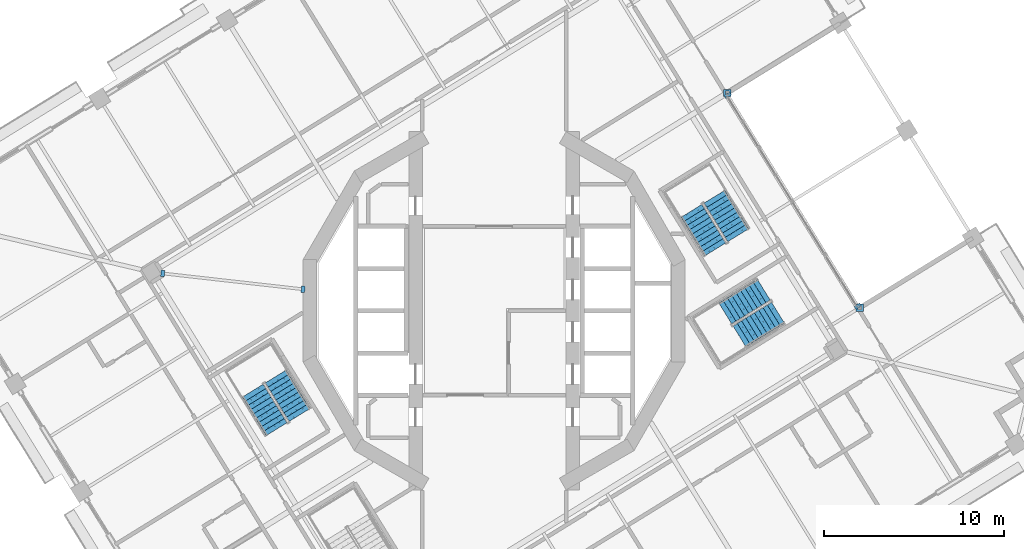
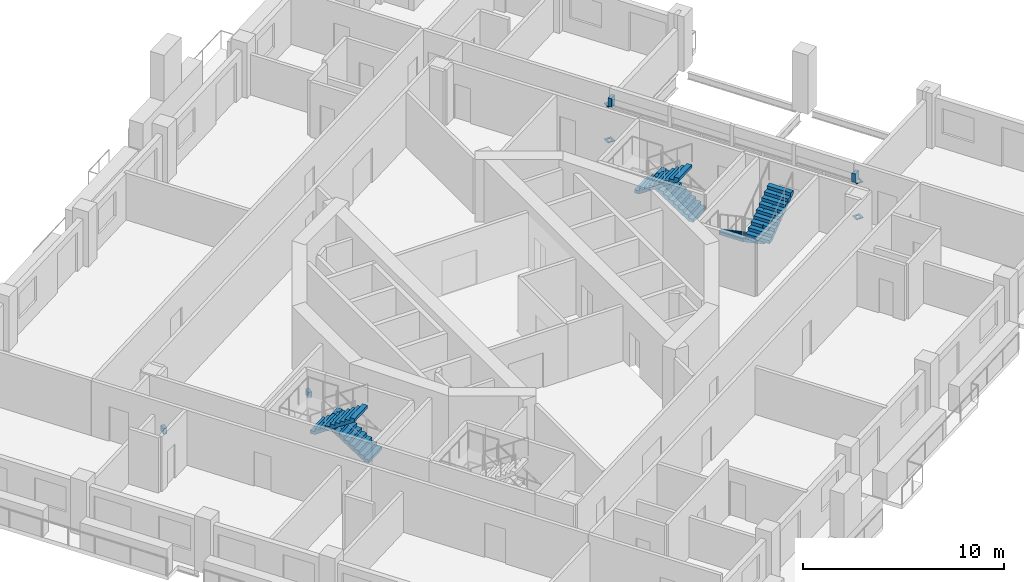
# One storey, part 13 of 21: 8 discrete accessories, 6 stair flights, 3 elements without a shape of their own.
"""IFC4 building model written with IfcOpenShell, lengths in metres."""

from ifc_helpers import new_model, si_unit, direction, frame, origin, place, context, subcontext, project, spatial, polyline, outline, extrude, material, layer, layer_set, type_object, element, aggregate, save


model = new_model("IFC4")

# Units and contexts
model_context = context("Model", 3, precision=1e-05, world=origin(), true_north=direction((0.0, 1.0)))
body_context = subcontext(model_context, "Body", "Model", "MODEL_VIEW")
ifc_project = project(units=[si_unit("LENGTHUNIT", "METRE"), si_unit("AREAUNIT", "SQUARE_METRE"), si_unit("VOLUMEUNIT", "CUBIC_METRE"), si_unit("PLANEANGLEUNIT", "RADIAN"), si_unit("MASSUNIT", "GRAM", prefix="KILO")], contexts=[model_context])

# Site, building, storey
site_placement = place(None, origin())
site = spatial("IfcSite", under=ifc_project, at=site_placement, CompositionType="ELEMENT")
building_placement = place(site_placement, origin())
building = spatial("IfcBuilding", under=site, at=building_placement, Name="Cantera Rosa Tower", CompositionType="ELEMENT")
storey_placement = place(building_placement, frame((0.0, 0.0, 185.60009765625)))
storey = spatial("IfcBuildingStorey", under=building, at=storey_placement, Name="L41", CompositionType="ELEMENT", Elevation=185.60009765625)

# Stair, stair flights
ifc_material_1 = material(Name="Concrete C35/45", Category="concrete")
stair_type = type_object("IfcStairType", Name="EXIT STAIR 1350 DOGLEG", PredefinedType="HALF_TURN_STAIR", material=ifc_material_1)
stair_1_placement = place(storey_placement, origin())
stair_1 = element("IfcStair", 1, at=stair_1_placement, inside=storey, type_object=stair_type, Name="L41 ST-31", PredefinedType="HALF_TURN_STAIR")
ifc_material_2 = material(Name="Concrete C35/45", Category="concrete")
stair_flight_type = type_object("IfcStairFlightType", Name="STAIR FLIGHT 1350 R20x190", PredefinedType="STRAIGHT", material=ifc_material_2)
stair_flight_1_placement = place(storey_placement, frame((13.5732421875, 4.2021484375, 0.0), z_axis=(0.0, 0.0, 1.0), x_axis=(-0.524976585286, 0.851116669383, 0.0)))
stair_flight_1 = element("IfcStairFlight", 2, at=stair_flight_1_placement, type_object=stair_flight_type, Name="ST-31 flight 1", NumberOfRisers=10, NumberOfTreads=9, PredefinedType="STRAIGHT", RiserHeight=0.19, TreadLength=0.28, context=body_context, shape_type="SweptSolid", body=[
    extrude(outline(polyline([(0.0, 0.0), (0.0, 0.18994140625), (0.280029296875, 0.18994140625), (0.280029296875, 0.3798828125), (0.56005859375, 0.3798828125), (0.56005859375, 0.570068359375), (0.840087890625, 0.570068359375), (0.840087890625, 0.760009765625), (1.1201171875, 0.760009765625), (1.1201171875, 0.949951171875), (1.39990234375, 0.949951171875), (1.39990234375, 1.139892578125), (1.679931640625, 1.139892578125), (1.679931640625, 1.330078125), (1.9599609375, 1.330078125), (1.9599609375, 1.52001953125), (2.239990234375, 1.52001953125), (2.239990234375, 1.7099609375), (2.52001953125, 1.7099609375), (2.52001953125, 1.89990234375), (2.52001953125, 1.52880859375), (0.266845703125, 0.0), (0.0, 0.0)])), frame((0.0, 0.675048828125, 0.0), z_axis=(0.0, -1.0, 0.0), x_axis=(1.0, 0.0, 0.0)), (0.0, 0.0, 1.0), 0.3359375),
    extrude(outline(polyline([(0.0, 0.0), (0.0, 0.18994140625), (0.280029296875, 0.18994140625), (0.280029296875, 0.3798828125), (0.56005859375, 0.3798828125), (0.56005859375, 0.570068359375), (0.840087890625, 0.570068359375), (0.840087890625, 0.760009765625), (1.1201171875, 0.760009765625), (1.1201171875, 0.949951171875), (1.39990234375, 0.949951171875), (1.39990234375, 1.139892578125), (1.679931640625, 1.139892578125), (1.679931640625, 1.330078125), (1.9599609375, 1.330078125), (1.9599609375, 1.52001953125), (2.239990234375, 1.52001953125), (2.239990234375, 1.7099609375), (2.52001953125, 1.7099609375), (2.52001953125, 1.89990234375), (2.52001953125, 1.52880859375), (0.266845703125, 0.0), (0.0, 0.0)])), frame((0.0, 0.337158203125, 0.0), z_axis=(0.0, -1.0, 0.0), x_axis=(1.0, 0.0, 0.0)), (0.0, 0.0, 1.0), 0.3359375),
    extrude(outline(polyline([(0.0, 0.0), (0.0, 0.18994140625), (0.280029296875, 0.18994140625), (0.280029296875, 0.3798828125), (0.56005859375, 0.3798828125), (0.56005859375, 0.570068359375), (0.840087890625, 0.570068359375), (0.840087890625, 0.760009765625), (1.1201171875, 0.760009765625), (1.1201171875, 0.949951171875), (1.39990234375, 0.949951171875), (1.39990234375, 1.139892578125), (1.679931640625, 1.139892578125), (1.679931640625, 1.330078125), (1.9599609375, 1.330078125), (1.9599609375, 1.52001953125), (2.239990234375, 1.52001953125), (2.239990234375, 1.7099609375), (2.52001953125, 1.7099609375), (2.52001953125, 1.89990234375), (2.52001953125, 1.52880859375), (0.266845703125, 0.0), (0.0, 0.0)])), frame((0.0, -0.000732421875, 0.0), z_axis=(0.0, -1.0, 0.0), x_axis=(1.0, 0.0, 0.0)), (0.0, 0.0, 1.0), 0.3359375),
    extrude(outline(polyline([(0.0, 0.0), (0.0, 0.18994140625), (0.280029296875, 0.18994140625), (0.280029296875, 0.3798828125), (0.56005859375, 0.3798828125), (0.56005859375, 0.570068359375), (0.840087890625, 0.570068359375), (0.840087890625, 0.760009765625), (1.1201171875, 0.760009765625), (1.1201171875, 0.949951171875), (1.39990234375, 0.949951171875), (1.39990234375, 1.139892578125), (1.679931640625, 1.139892578125), (1.679931640625, 1.330078125), (1.9599609375, 1.330078125), (1.9599609375, 1.52001953125), (2.239990234375, 1.52001953125), (2.239990234375, 1.7099609375), (2.52001953125, 1.7099609375), (2.52001953125, 1.89990234375), (2.52001953125, 1.52880859375), (0.266845703125, 0.0), (0.0, 0.0)])), frame((0.0, -0.338623046875, 0.0), z_axis=(0.0, -1.0, 0.0), x_axis=(1.0, 0.0, 0.0)), (0.0, 0.0, 1.0), 0.3359375),
])
stair_flight_2_placement = place(storey_placement, frame((10.9736328125, 5.5595703125, 1.89990234375), z_axis=(0.0, 0.0, 1.0), x_axis=(0.524976585286, -0.851116669383, 0.0)))
stair_flight_2 = element("IfcStairFlight", 3, at=stair_flight_2_placement, type_object=stair_flight_type, Name="ST-31 flight 2", NumberOfRisers=10, NumberOfTreads=9, PredefinedType="STRAIGHT", RiserHeight=0.19, TreadLength=0.28, context=body_context, shape_type="SweptSolid", body=[
    extrude(outline(polyline([(0.0, 0.0), (0.0, 0.18994140625), (0.280029296875, 0.18994140625), (0.280029296875, 0.3798828125), (0.56005859375, 0.3798828125), (0.56005859375, 0.570068359375), (0.840087890625, 0.570068359375), (0.840087890625, 0.760009765625), (1.1201171875, 0.760009765625), (1.1201171875, 0.949951171875), (1.39990234375, 0.949951171875), (1.39990234375, 1.139892578125), (1.679931640625, 1.139892578125), (1.679931640625, 1.330078125), (1.9599609375, 1.330078125), (1.9599609375, 1.52001953125), (2.239990234375, 1.52001953125), (2.239990234375, 1.7099609375), (2.52001953125, 1.7099609375), (2.52001953125, 1.89990234375), (2.52001953125, 1.52880859375), (0.266845703125, 0.0), (0.0, 0.0)])), frame((0.0, 0.675048828125, 0.0), z_axis=(0.0, -1.0, 0.0), x_axis=(1.0, 0.0, 0.0)), (0.0, 0.0, 1.0), 0.3359375),
    extrude(outline(polyline([(0.0, 0.0), (0.0, 0.18994140625), (0.280029296875, 0.18994140625), (0.280029296875, 0.3798828125), (0.56005859375, 0.3798828125), (0.56005859375, 0.570068359375), (0.840087890625, 0.570068359375), (0.840087890625, 0.760009765625), (1.1201171875, 0.760009765625), (1.1201171875, 0.949951171875), (1.39990234375, 0.949951171875), (1.39990234375, 1.139892578125), (1.679931640625, 1.139892578125), (1.679931640625, 1.330078125), (1.9599609375, 1.330078125), (1.9599609375, 1.52001953125), (2.239990234375, 1.52001953125), (2.239990234375, 1.7099609375), (2.52001953125, 1.7099609375), (2.52001953125, 1.89990234375), (2.52001953125, 1.52880859375), (0.266845703125, 0.0), (0.0, 0.0)])), frame((0.0, 0.337158203125, 0.0), z_axis=(0.0, -1.0, 0.0), x_axis=(1.0, 0.0, 0.0)), (0.0, 0.0, 1.0), 0.3359375),
    extrude(outline(polyline([(0.0, 0.0), (0.0, 0.18994140625), (0.280029296875, 0.18994140625), (0.280029296875, 0.3798828125), (0.56005859375, 0.3798828125), (0.56005859375, 0.570068359375), (0.840087890625, 0.570068359375), (0.840087890625, 0.760009765625), (1.1201171875, 0.760009765625), (1.1201171875, 0.949951171875), (1.39990234375, 0.949951171875), (1.39990234375, 1.139892578125), (1.679931640625, 1.139892578125), (1.679931640625, 1.330078125), (1.9599609375, 1.330078125), (1.9599609375, 1.52001953125), (2.239990234375, 1.52001953125), (2.239990234375, 1.7099609375), (2.52001953125, 1.7099609375), (2.52001953125, 1.89990234375), (2.52001953125, 1.52880859375), (0.266845703125, 0.0), (0.0, 0.0)])), frame((0.0, -0.000732421875, 0.0), z_axis=(0.0, -1.0, 0.0), x_axis=(1.0, 0.0, 0.0)), (0.0, 0.0, 1.0), 0.3359375),
    extrude(outline(polyline([(0.0, 0.0), (0.0, 0.18994140625), (0.280029296875, 0.18994140625), (0.280029296875, 0.3798828125), (0.56005859375, 0.3798828125), (0.56005859375, 0.570068359375), (0.840087890625, 0.570068359375), (0.840087890625, 0.760009765625), (1.1201171875, 0.760009765625), (1.1201171875, 0.949951171875), (1.39990234375, 0.949951171875), (1.39990234375, 1.139892578125), (1.679931640625, 1.139892578125), (1.679931640625, 1.330078125), (1.9599609375, 1.330078125), (1.9599609375, 1.52001953125), (2.239990234375, 1.52001953125), (2.239990234375, 1.7099609375), (2.52001953125, 1.7099609375), (2.52001953125, 1.89990234375), (2.52001953125, 1.52880859375), (0.266845703125, 0.0), (0.0, 0.0)])), frame((0.0, -0.338623046875, 0.0), z_axis=(0.0, -1.0, 0.0), x_axis=(1.0, 0.0, 0.0)), (0.0, 0.0, 1.0), 0.3359375),
])
aggregate(stair_1, [stair_flight_1, stair_flight_2])

stair_2_placement = place(storey_placement, origin())
stair_2 = element("IfcStair", 4, at=stair_2_placement, inside=storey, type_object=stair_type, Name="L41 ST-32", PredefinedType="HALF_TURN_STAIR")
stair_flight_3_placement = place(storey_placement, frame((-10.82666015625, -5.7978515625, 0.0), z_axis=(0.0, 0.0, 1.0), x_axis=(-0.524976585286, 0.851116669383, 0.0)))
stair_flight_3 = element("IfcStairFlight", 5, at=stair_flight_3_placement, type_object=stair_flight_type, Name="ST-32 flight 1", NumberOfRisers=10, NumberOfTreads=9, PredefinedType="STRAIGHT", RiserHeight=0.19, TreadLength=0.28, context=body_context, shape_type="SweptSolid", body=[
    extrude(outline(polyline([(0.0, 0.0), (0.0, 0.18994140625), (0.280029296875, 0.18994140625), (0.280029296875, 0.3798828125), (0.56005859375, 0.3798828125), (0.56005859375, 0.570068359375), (0.840087890625, 0.570068359375), (0.840087890625, 0.760009765625), (1.1201171875, 0.760009765625), (1.1201171875, 0.949951171875), (1.39990234375, 0.949951171875), (1.39990234375, 1.139892578125), (1.679931640625, 1.139892578125), (1.679931640625, 1.330078125), (1.9599609375, 1.330078125), (1.9599609375, 1.52001953125), (2.239990234375, 1.52001953125), (2.239990234375, 1.7099609375), (2.52001953125, 1.7099609375), (2.52001953125, 1.89990234375), (2.52001953125, 1.52880859375), (0.266845703125, 0.0), (0.0, 0.0)])), frame((0.0, 0.675048828125, 0.0), z_axis=(0.0, -1.0, 0.0), x_axis=(1.0, 0.0, 0.0)), (0.0, 0.0, 1.0), 0.3359375),
    extrude(outline(polyline([(0.0, 0.0), (0.0, 0.18994140625), (0.280029296875, 0.18994140625), (0.280029296875, 0.3798828125), (0.56005859375, 0.3798828125), (0.56005859375, 0.570068359375), (0.840087890625, 0.570068359375), (0.840087890625, 0.760009765625), (1.1201171875, 0.760009765625), (1.1201171875, 0.949951171875), (1.39990234375, 0.949951171875), (1.39990234375, 1.139892578125), (1.679931640625, 1.139892578125), (1.679931640625, 1.330078125), (1.9599609375, 1.330078125), (1.9599609375, 1.52001953125), (2.239990234375, 1.52001953125), (2.239990234375, 1.7099609375), (2.52001953125, 1.7099609375), (2.52001953125, 1.89990234375), (2.52001953125, 1.52880859375), (0.266845703125, 0.0), (0.0, 0.0)])), frame((0.0, 0.337158203125, 0.0), z_axis=(0.0, -1.0, 0.0), x_axis=(1.0, 0.0, 0.0)), (0.0, 0.0, 1.0), 0.3359375),
    extrude(outline(polyline([(0.0, 0.0), (0.0, 0.18994140625), (0.280029296875, 0.18994140625), (0.280029296875, 0.3798828125), (0.56005859375, 0.3798828125), (0.56005859375, 0.570068359375), (0.840087890625, 0.570068359375), (0.840087890625, 0.760009765625), (1.1201171875, 0.760009765625), (1.1201171875, 0.949951171875), (1.39990234375, 0.949951171875), (1.39990234375, 1.139892578125), (1.679931640625, 1.139892578125), (1.679931640625, 1.330078125), (1.9599609375, 1.330078125), (1.9599609375, 1.52001953125), (2.239990234375, 1.52001953125), (2.239990234375, 1.7099609375), (2.52001953125, 1.7099609375), (2.52001953125, 1.89990234375), (2.52001953125, 1.52880859375), (0.266845703125, 0.0), (0.0, 0.0)])), frame((0.0, -0.000732421875, 0.0), z_axis=(0.0, -1.0, 0.0), x_axis=(1.0, 0.0, 0.0)), (0.0, 0.0, 1.0), 0.3359375),
    extrude(outline(polyline([(0.0, 0.0), (0.0, 0.18994140625), (0.280029296875, 0.18994140625), (0.280029296875, 0.3798828125), (0.56005859375, 0.3798828125), (0.56005859375, 0.570068359375), (0.840087890625, 0.570068359375), (0.840087890625, 0.760009765625), (1.1201171875, 0.760009765625), (1.1201171875, 0.949951171875), (1.39990234375, 0.949951171875), (1.39990234375, 1.139892578125), (1.679931640625, 1.139892578125), (1.679931640625, 1.330078125), (1.9599609375, 1.330078125), (1.9599609375, 1.52001953125), (2.239990234375, 1.52001953125), (2.239990234375, 1.7099609375), (2.52001953125, 1.7099609375), (2.52001953125, 1.89990234375), (2.52001953125, 1.52880859375), (0.266845703125, 0.0), (0.0, 0.0)])), frame((0.0, -0.338623046875, 0.0), z_axis=(0.0, -1.0, 0.0), x_axis=(1.0, 0.0, 0.0)), (0.0, 0.0, 1.0), 0.3359375),
])
stair_flight_4_placement = place(storey_placement, frame((-13.42626953125, -4.4404296875, 1.89990234375), z_axis=(0.0, 0.0, 1.0), x_axis=(0.524976585286, -0.851116669383, 0.0)))
stair_flight_4 = element("IfcStairFlight", 6, at=stair_flight_4_placement, type_object=stair_flight_type, Name="ST-32 flight 2", NumberOfRisers=10, NumberOfTreads=9, PredefinedType="STRAIGHT", RiserHeight=0.19, TreadLength=0.28, context=body_context, shape_type="SweptSolid", body=[
    extrude(outline(polyline([(0.0, 0.0), (0.0, 0.18994140625), (0.280029296875, 0.18994140625), (0.280029296875, 0.3798828125), (0.56005859375, 0.3798828125), (0.56005859375, 0.570068359375), (0.840087890625, 0.570068359375), (0.840087890625, 0.760009765625), (1.1201171875, 0.760009765625), (1.1201171875, 0.949951171875), (1.39990234375, 0.949951171875), (1.39990234375, 1.139892578125), (1.679931640625, 1.139892578125), (1.679931640625, 1.330078125), (1.9599609375, 1.330078125), (1.9599609375, 1.52001953125), (2.239990234375, 1.52001953125), (2.239990234375, 1.7099609375), (2.52001953125, 1.7099609375), (2.52001953125, 1.89990234375), (2.52001953125, 1.52880859375), (0.266845703125, 0.0), (0.0, 0.0)])), frame((0.0, 0.675048828125, 0.0), z_axis=(0.0, -1.0, 0.0), x_axis=(1.0, 0.0, 0.0)), (0.0, 0.0, 1.0), 0.3359375),
    extrude(outline(polyline([(0.0, 0.0), (0.0, 0.18994140625), (0.280029296875, 0.18994140625), (0.280029296875, 0.3798828125), (0.56005859375, 0.3798828125), (0.56005859375, 0.570068359375), (0.840087890625, 0.570068359375), (0.840087890625, 0.760009765625), (1.1201171875, 0.760009765625), (1.1201171875, 0.949951171875), (1.39990234375, 0.949951171875), (1.39990234375, 1.139892578125), (1.679931640625, 1.139892578125), (1.679931640625, 1.330078125), (1.9599609375, 1.330078125), (1.9599609375, 1.52001953125), (2.239990234375, 1.52001953125), (2.239990234375, 1.7099609375), (2.52001953125, 1.7099609375), (2.52001953125, 1.89990234375), (2.52001953125, 1.52880859375), (0.266845703125, 0.0), (0.0, 0.0)])), frame((0.0, 0.337158203125, 0.0), z_axis=(0.0, -1.0, 0.0), x_axis=(1.0, 0.0, 0.0)), (0.0, 0.0, 1.0), 0.3359375),
    extrude(outline(polyline([(0.0, 0.0), (0.0, 0.18994140625), (0.280029296875, 0.18994140625), (0.280029296875, 0.3798828125), (0.56005859375, 0.3798828125), (0.56005859375, 0.570068359375), (0.840087890625, 0.570068359375), (0.840087890625, 0.760009765625), (1.1201171875, 0.760009765625), (1.1201171875, 0.949951171875), (1.39990234375, 0.949951171875), (1.39990234375, 1.139892578125), (1.679931640625, 1.139892578125), (1.679931640625, 1.330078125), (1.9599609375, 1.330078125), (1.9599609375, 1.52001953125), (2.239990234375, 1.52001953125), (2.239990234375, 1.7099609375), (2.52001953125, 1.7099609375), (2.52001953125, 1.89990234375), (2.52001953125, 1.52880859375), (0.266845703125, 0.0), (0.0, 0.0)])), frame((0.0, -0.000732421875, 0.0), z_axis=(0.0, -1.0, 0.0), x_axis=(1.0, 0.0, 0.0)), (0.0, 0.0, 1.0), 0.3359375),
    extrude(outline(polyline([(0.0, 0.0), (0.0, 0.18994140625), (0.280029296875, 0.18994140625), (0.280029296875, 0.3798828125), (0.56005859375, 0.3798828125), (0.56005859375, 0.570068359375), (0.840087890625, 0.570068359375), (0.840087890625, 0.760009765625), (1.1201171875, 0.760009765625), (1.1201171875, 0.949951171875), (1.39990234375, 0.949951171875), (1.39990234375, 1.139892578125), (1.679931640625, 1.139892578125), (1.679931640625, 1.330078125), (1.9599609375, 1.330078125), (1.9599609375, 1.52001953125), (2.239990234375, 1.52001953125), (2.239990234375, 1.7099609375), (2.52001953125, 1.7099609375), (2.52001953125, 1.89990234375), (2.52001953125, 1.52880859375), (0.266845703125, 0.0), (0.0, 0.0)])), frame((0.0, -0.338623046875, 0.0), z_axis=(0.0, -1.0, 0.0), x_axis=(1.0, 0.0, 0.0)), (0.0, 0.0, 1.0), 0.3359375),
])
aggregate(stair_2, [stair_flight_3, stair_flight_4])

stair_3_placement = place(storey_placement, origin())
stair_3 = element("IfcStair", 7, at=stair_3_placement, inside=storey, type_object=stair_type, Name="L41 ST-34", PredefinedType="HALF_TURN_STAIR")
stair_flight_5_placement = place(storey_placement, frame((14.997802734375, 1.17333984375, 0.0), z_axis=(0.0, 0.0, 1.0), x_axis=(-0.851116669383, -0.524976585286, 0.0)))
stair_flight_5 = element("IfcStairFlight", 8, at=stair_flight_5_placement, type_object=stair_flight_type, Name="ST-34 flight 1", NumberOfRisers=10, NumberOfTreads=9, PredefinedType="STRAIGHT", RiserHeight=0.19, TreadLength=0.28, context=body_context, shape_type="SweptSolid", body=[
    extrude(outline(polyline([(0.0, 0.0), (0.0, 0.18994140625), (0.280029296875, 0.18994140625), (0.280029296875, 0.3798828125), (0.56005859375, 0.3798828125), (0.56005859375, 0.570068359375), (0.840087890625, 0.570068359375), (0.840087890625, 0.760009765625), (1.1201171875, 0.760009765625), (1.1201171875, 0.949951171875), (1.39990234375, 0.949951171875), (1.39990234375, 1.139892578125), (1.679931640625, 1.139892578125), (1.679931640625, 1.330078125), (1.9599609375, 1.330078125), (1.9599609375, 1.52001953125), (2.239990234375, 1.52001953125), (2.239990234375, 1.7099609375), (2.52001953125, 1.7099609375), (2.52001953125, 1.89990234375), (2.52001953125, 1.52880859375), (0.266845703125, 0.0), (0.0, 0.0)])), frame((0.0, 0.675048828125, 0.0), z_axis=(0.0, -1.0, 0.0), x_axis=(1.0, 0.0, 0.0)), (0.0, 0.0, 1.0), 0.3359375),
    extrude(outline(polyline([(0.0, 0.0), (0.0, 0.18994140625), (0.280029296875, 0.18994140625), (0.280029296875, 0.3798828125), (0.56005859375, 0.3798828125), (0.56005859375, 0.570068359375), (0.840087890625, 0.570068359375), (0.840087890625, 0.760009765625), (1.1201171875, 0.760009765625), (1.1201171875, 0.949951171875), (1.39990234375, 0.949951171875), (1.39990234375, 1.139892578125), (1.679931640625, 1.139892578125), (1.679931640625, 1.330078125), (1.9599609375, 1.330078125), (1.9599609375, 1.52001953125), (2.239990234375, 1.52001953125), (2.239990234375, 1.7099609375), (2.52001953125, 1.7099609375), (2.52001953125, 1.89990234375), (2.52001953125, 1.52880859375), (0.266845703125, 0.0), (0.0, 0.0)])), frame((0.0, 0.337158203125, 0.0), z_axis=(0.0, -1.0, 0.0), x_axis=(1.0, 0.0, 0.0)), (0.0, 0.0, 1.0), 0.3359375),
    extrude(outline(polyline([(0.0, 0.0), (0.0, 0.18994140625), (0.280029296875, 0.18994140625), (0.280029296875, 0.3798828125), (0.56005859375, 0.3798828125), (0.56005859375, 0.570068359375), (0.840087890625, 0.570068359375), (0.840087890625, 0.760009765625), (1.1201171875, 0.760009765625), (1.1201171875, 0.949951171875), (1.39990234375, 0.949951171875), (1.39990234375, 1.139892578125), (1.679931640625, 1.139892578125), (1.679931640625, 1.330078125), (1.9599609375, 1.330078125), (1.9599609375, 1.52001953125), (2.239990234375, 1.52001953125), (2.239990234375, 1.7099609375), (2.52001953125, 1.7099609375), (2.52001953125, 1.89990234375), (2.52001953125, 1.52880859375), (0.266845703125, 0.0), (0.0, 0.0)])), frame((0.0, -0.000732421875, 0.0), z_axis=(0.0, -1.0, 0.0), x_axis=(1.0, 0.0, 0.0)), (0.0, 0.0, 1.0), 0.3359375),
    extrude(outline(polyline([(0.0, 0.0), (0.0, 0.18994140625), (0.280029296875, 0.18994140625), (0.280029296875, 0.3798828125), (0.56005859375, 0.3798828125), (0.56005859375, 0.570068359375), (0.840087890625, 0.570068359375), (0.840087890625, 0.760009765625), (1.1201171875, 0.760009765625), (1.1201171875, 0.949951171875), (1.39990234375, 0.949951171875), (1.39990234375, 1.139892578125), (1.679931640625, 1.139892578125), (1.679931640625, 1.330078125), (1.9599609375, 1.330078125), (1.9599609375, 1.52001953125), (2.239990234375, 1.52001953125), (2.239990234375, 1.7099609375), (2.52001953125, 1.7099609375), (2.52001953125, 1.89990234375), (2.52001953125, 1.52880859375), (0.266845703125, 0.0), (0.0, 0.0)])), frame((0.0, -0.338623046875, 0.0), z_axis=(0.0, -1.0, 0.0), x_axis=(1.0, 0.0, 0.0)), (0.0, 0.0, 1.0), 0.3359375),
])
stair_flight_6_placement = place(storey_placement, frame((13.640380859375, -1.42626953125, 1.89990234375), z_axis=(0.0, 0.0, 1.0), x_axis=(0.851116669383, 0.524976585286, 0.0)))
stair_flight_6 = element("IfcStairFlight", 9, at=stair_flight_6_placement, type_object=stair_flight_type, Name="ST-34 flight 2", NumberOfRisers=10, NumberOfTreads=9, PredefinedType="STRAIGHT", RiserHeight=0.19, TreadLength=0.28, context=body_context, shape_type="SweptSolid", body=[
    extrude(outline(polyline([(0.0, 0.0), (0.0, 0.18994140625), (0.280029296875, 0.18994140625), (0.280029296875, 0.3798828125), (0.56005859375, 0.3798828125), (0.56005859375, 0.570068359375), (0.840087890625, 0.570068359375), (0.840087890625, 0.760009765625), (1.1201171875, 0.760009765625), (1.1201171875, 0.949951171875), (1.39990234375, 0.949951171875), (1.39990234375, 1.139892578125), (1.679931640625, 1.139892578125), (1.679931640625, 1.330078125), (1.9599609375, 1.330078125), (1.9599609375, 1.52001953125), (2.239990234375, 1.52001953125), (2.239990234375, 1.7099609375), (2.52001953125, 1.7099609375), (2.52001953125, 1.89990234375), (2.52001953125, 1.52880859375), (0.266845703125, 0.0), (0.0, 0.0)])), frame((0.0, 0.675048828125, 0.0), z_axis=(0.0, -1.0, 0.0), x_axis=(1.0, 0.0, 0.0)), (0.0, 0.0, 1.0), 0.3359375),
    extrude(outline(polyline([(0.0, 0.0), (0.0, 0.18994140625), (0.280029296875, 0.18994140625), (0.280029296875, 0.3798828125), (0.56005859375, 0.3798828125), (0.56005859375, 0.570068359375), (0.840087890625, 0.570068359375), (0.840087890625, 0.760009765625), (1.1201171875, 0.760009765625), (1.1201171875, 0.949951171875), (1.39990234375, 0.949951171875), (1.39990234375, 1.139892578125), (1.679931640625, 1.139892578125), (1.679931640625, 1.330078125), (1.9599609375, 1.330078125), (1.9599609375, 1.52001953125), (2.239990234375, 1.52001953125), (2.239990234375, 1.7099609375), (2.52001953125, 1.7099609375), (2.52001953125, 1.89990234375), (2.52001953125, 1.52880859375), (0.266845703125, 0.0), (0.0, 0.0)])), frame((0.0, 0.337158203125, 0.0), z_axis=(0.0, -1.0, 0.0), x_axis=(1.0, 0.0, 0.0)), (0.0, 0.0, 1.0), 0.3359375),
    extrude(outline(polyline([(0.0, 0.0), (0.0, 0.18994140625), (0.280029296875, 0.18994140625), (0.280029296875, 0.3798828125), (0.56005859375, 0.3798828125), (0.56005859375, 0.570068359375), (0.840087890625, 0.570068359375), (0.840087890625, 0.760009765625), (1.1201171875, 0.760009765625), (1.1201171875, 0.949951171875), (1.39990234375, 0.949951171875), (1.39990234375, 1.139892578125), (1.679931640625, 1.139892578125), (1.679931640625, 1.330078125), (1.9599609375, 1.330078125), (1.9599609375, 1.52001953125), (2.239990234375, 1.52001953125), (2.239990234375, 1.7099609375), (2.52001953125, 1.7099609375), (2.52001953125, 1.89990234375), (2.52001953125, 1.52880859375), (0.266845703125, 0.0), (0.0, 0.0)])), frame((0.0, -0.000732421875, 0.0), z_axis=(0.0, -1.0, 0.0), x_axis=(1.0, 0.0, 0.0)), (0.0, 0.0, 1.0), 0.3359375),
    extrude(outline(polyline([(0.0, 0.0), (0.0, 0.18994140625), (0.280029296875, 0.18994140625), (0.280029296875, 0.3798828125), (0.56005859375, 0.3798828125), (0.56005859375, 0.570068359375), (0.840087890625, 0.570068359375), (0.840087890625, 0.760009765625), (1.1201171875, 0.760009765625), (1.1201171875, 0.949951171875), (1.39990234375, 0.949951171875), (1.39990234375, 1.139892578125), (1.679931640625, 1.139892578125), (1.679931640625, 1.330078125), (1.9599609375, 1.330078125), (1.9599609375, 1.52001953125), (2.239990234375, 1.52001953125), (2.239990234375, 1.7099609375), (2.52001953125, 1.7099609375), (2.52001953125, 1.89990234375), (2.52001953125, 1.52880859375), (0.266845703125, 0.0), (0.0, 0.0)])), frame((0.0, -0.338623046875, 0.0), z_axis=(0.0, -1.0, 0.0), x_axis=(1.0, 0.0, 0.0)), (0.0, 0.0, 1.0), 0.3359375),
])
aggregate(stair_3, [stair_flight_5, stair_flight_6])

# Discrete accessories
ifc_material_3 = material(Name="Steel ASTM A992 (Fy 345 MPa)", Category="steel")
ifc_layer = layer(ifc_material_3, 0.0400390625)
ifc_layer_set = layer_set([ifc_layer], Name="STEEL BEARING PLATE 40")
discrete_accessory_type = type_object("IfcDiscreteAccessoryType", Name="STEEL BEARING PLATE 40", PredefinedType="ANCHORPLATE", material=ifc_layer_set)
discrete_accessory_1_placement = place(storey_placement, frame((0.0, 0.0, -0.66015625)))
element("IfcDiscreteAccessory", 10, at=discrete_accessory_1_placement, inside=storey, type_object=discrete_accessory_type, Name="BEARING PLATE PG-Z3-01 end 1 L41", PredefinedType="ANCHORPLATE", context=body_context, shape_type="SweptSolid", body=[
    extrude(outline(polyline([(-18.316650390625, 2.242919921875), (-18.515380859375, 2.265380859375), (-18.554931640625, 1.91357421875), (-18.356201171875, 1.89111328125), (-18.316650390625, 2.242919921875)])), origin(), (0.0, 0.0, 1.0), 0.360107421875),
])
discrete_accessory_2_placement = place(storey_placement, frame((0.0, 0.0, -0.66015625)))
element("IfcDiscreteAccessory", 11, at=discrete_accessory_2_placement, inside=storey, type_object=discrete_accessory_type, Name="BEARING PLATE PG-Z3-01 end 2 L41", PredefinedType="ANCHORPLATE", context=body_context, shape_type="SweptSolid", body=[
    extrude(outline(polyline([(-10.744384765625, 1.033203125), (-10.545654296875, 1.0107421875), (-10.506103515625, 1.3623046875), (-10.70458984375, 1.384765625), (-10.744384765625, 1.033203125)])), origin(), (0.0, 0.0, 1.0), 0.360107421875),
])
discrete_accessory_3_placement = place(storey_placement, origin())
element("IfcDiscreteAccessory", 12, at=discrete_accessory_3_placement, inside=storey, type_object=discrete_accessory_type, Name="POST PLATE L41-1F", PredefinedType="ANCHORPLATE", context=body_context, shape_type="SweptSolid", body=[
    extrude(outline(polyline([(20.137451171875, -0.027587890625), (20.537353515625, -0.027587890625), (20.537353515625, 0.372314453125), (20.137451171875, 0.372314453125), (20.137451171875, -0.027587890625)]), holes=[polyline([(20.2373046875, 0.072265625), (20.4375, 0.072265625), (20.4375, 0.272216796875), (20.2373046875, 0.272216796875), (20.2373046875, 0.072265625)])]), origin(), (0.0, 0.0, 1.0), 0.039794921875),
])
discrete_accessory_4_placement = place(storey_placement, frame((0.0, 0.0, 2.173828125)))
element("IfcDiscreteAccessory", 13, at=discrete_accessory_4_placement, inside=storey, type_object=discrete_accessory_type, Name="POST PLATE L41-1T", PredefinedType="ANCHORPLATE", context=body_context, shape_type="SweptSolid", body=[
    extrude(outline(polyline([(20.137451171875, -0.027587890625), (20.537353515625, -0.027587890625), (20.537353515625, 0.372314453125), (20.137451171875, 0.372314453125), (20.137451171875, -0.027587890625)]), holes=[polyline([(20.2373046875, 0.072265625), (20.4375, 0.072265625), (20.4375, 0.272216796875), (20.2373046875, 0.272216796875), (20.2373046875, 0.072265625)])]), origin(), (0.0, 0.0, 1.0), 0.0400390625),
])
discrete_accessory_5_placement = place(storey_placement, origin())
element("IfcDiscreteAccessory", 14, at=discrete_accessory_5_placement, inside=storey, type_object=discrete_accessory_type, Name="POST PLATE L41-2F", PredefinedType="ANCHORPLATE", context=body_context, shape_type="SweptSolid", body=[
    extrude(outline(polyline([(12.766845703125, 11.922119140625), (13.166748046875, 11.922119140625), (13.166748046875, 12.322021484375), (12.766845703125, 12.322021484375), (12.766845703125, 11.922119140625)]), holes=[polyline([(12.86669921875, 12.02197265625), (13.06689453125, 12.02197265625), (13.06689453125, 12.221923828125), (12.86669921875, 12.221923828125), (12.86669921875, 12.02197265625)])]), origin(), (0.0, 0.0, 1.0), 0.039794921875),
])
discrete_accessory_6_placement = place(storey_placement, frame((0.0, 0.0, 2.173828125)))
element("IfcDiscreteAccessory", 15, at=discrete_accessory_6_placement, inside=storey, type_object=discrete_accessory_type, Name="POST PLATE L41-2T", PredefinedType="ANCHORPLATE", context=body_context, shape_type="SweptSolid", body=[
    extrude(outline(polyline([(12.766845703125, 11.922119140625), (13.166748046875, 11.922119140625), (13.166748046875, 12.322021484375), (12.766845703125, 12.322021484375), (12.766845703125, 11.922119140625)]), holes=[polyline([(12.86669921875, 12.02197265625), (13.06689453125, 12.02197265625), (13.06689453125, 12.221923828125), (12.86669921875, 12.221923828125), (12.86669921875, 12.02197265625)])]), origin(), (0.0, 0.0, 1.0), 0.0400390625),
])
discrete_accessory_7_placement = place(storey_placement, frame((0.0, 0.0, 2.2138671875)))
element("IfcDiscreteAccessory", 16, at=discrete_accessory_7_placement, inside=storey, type_object=discrete_accessory_type, Name="LINTEL PLATE L41-1", PredefinedType="ANCHORPLATE", context=body_context, shape_type="SweptSolid", body=[
    extrude(outline(polyline([(20.02099609375, 0.241455078125), (20.1259765625, 0.0712890625), (20.4375, 0.263427734375), (20.33251953125, 0.43359375), (20.02099609375, 0.241455078125)])), origin(), (0.0, 0.0, 1.0), 0.528076171875),
])
discrete_accessory_8_placement = place(storey_placement, frame((0.0, 0.0, 2.2138671875)))
element("IfcDiscreteAccessory", 17, at=discrete_accessory_8_placement, inside=storey, type_object=discrete_accessory_type, Name="LINTEL PLATE L41-2", PredefinedType="ANCHORPLATE", context=body_context, shape_type="SweptSolid", body=[
    extrude(outline(polyline([(13.197998046875, 12.000244140625), (13.093017578125, 12.170654296875), (12.781494140625, 11.978515625), (12.88671875, 11.80810546875), (13.197998046875, 12.000244140625)])), origin(), (0.0, 0.0, 1.0), 0.528076171875),
])

save(model, "model.ifc")
